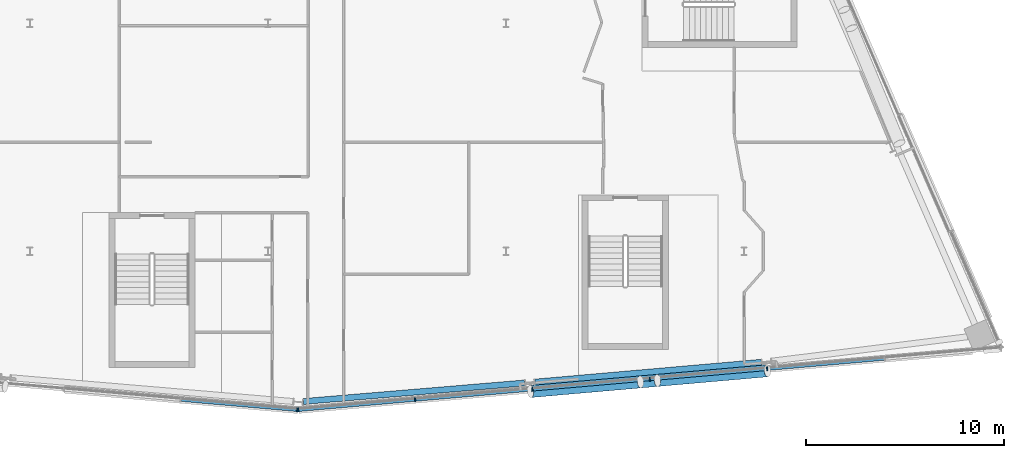
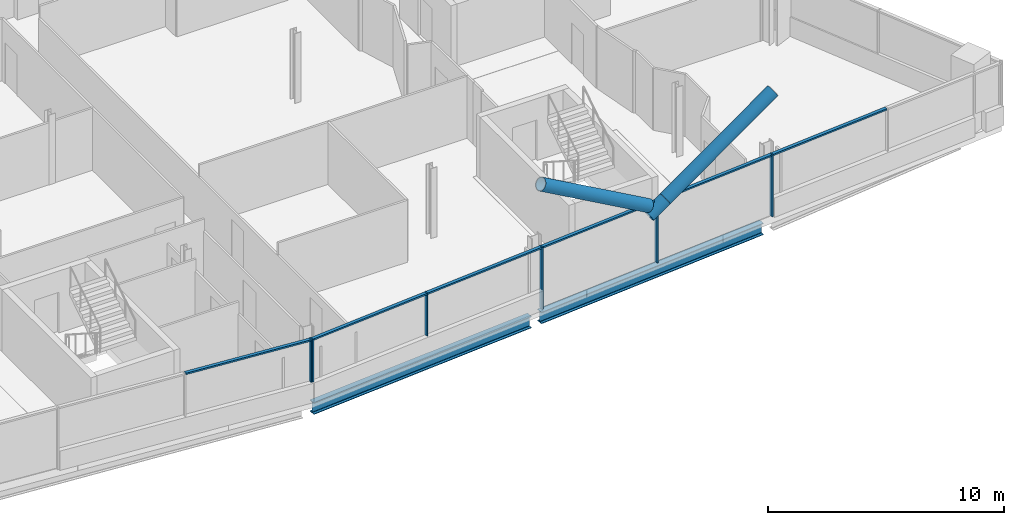
# One storey, part 8 of 28: 15 members, 2 beams, 2 elements without a shape of their own.
"""IFC4 building model written with IfcOpenShell, lengths in metres."""

from ifc_helpers import new_model, si_unit, direction, frame, origin, origin_2d, place, context, subcontext, project, spatial, rectangle, hollow_circle, i_section, extrude, material, material_profile, profile_set, type_object, element, aggregate, save


model = new_model("IFC4")

# Units and contexts
model_context = context("Model", 3, precision=1e-05, world=origin(), true_north=direction((0.0, 1.0)))
body_context = subcontext(model_context, "Body", "Model", "MODEL_VIEW")
ifc_project = project(units=[si_unit("LENGTHUNIT", "METRE"), si_unit("AREAUNIT", "SQUARE_METRE"), si_unit("VOLUMEUNIT", "CUBIC_METRE"), si_unit("PLANEANGLEUNIT", "RADIAN"), si_unit("MASSUNIT", "GRAM", prefix="KILO")], contexts=[model_context])

# Site, building, storey
site_placement = place(None, origin())
site = spatial("IfcSite", under=ifc_project, at=site_placement, CompositionType="ELEMENT")
building_placement = place(site_placement, origin())
building = spatial("IfcBuilding", under=site, at=building_placement, Name="Wharfspan Tower", CompositionType="ELEMENT")
storey_placement = place(building_placement, frame((0.0, 0.0, 253.899902)))
storey = spatial("IfcBuildingStorey", under=building, at=storey_placement, Name="L64", CompositionType="ELEMENT", Elevation=253.899902)

# Member
ifc_material_1 = material(Name="Steel S460NH", Category="steel")
ifc_material_profile_1 = material_profile(ifc_material_1, hollow_circle(Radius=0.304932, WallThickness=0.024902, at=origin_2d()))
ifc_profile_set_1 = profile_set([ifc_material_profile_1], Name="Steel S460NH")
member_type_1 = type_object("IfcMemberType", Name="Brace node tie CHS 610x25", PredefinedType="STRUT", material=ifc_profile_set_1)
member_1_placement = place(storey_placement, frame((66.787109, 4.911133, 2.645752), z_axis=(0.853807, 0.074696, 0.515203), x_axis=(-0.087155, 0.996198, 3e-06)))
element("IfcMember", 1, at=member_1_placement, inside=storey, type_object=member_type_1, Name="Brace node tie L64 S2", PredefinedType="STRUT", context=body_context, shape_type="SweptSolid", body=[
    extrude(hollow_circle(Radius=0.304932, WallThickness=0.024902, at=origin_2d()), origin(), (0.0, 0.0, 1.0), 0.987061),
])

# Beams
ifc_material_2 = material(Name="Steel S355J2", Category="steel")
ifc_material_profile_2 = material_profile(ifc_material_2, i_section(OverallWidth=0.300049, OverallDepth=0.600098, WebThickness=0.015381, FlangeThickness=0.030029, FilletRadius=0.0271, at=origin_2d()))
ifc_profile_set_2 = profile_set([ifc_material_profile_2], Name="Steel S355J2")
beam_type = type_object("IfcBeamType", Name="Edge beam HEB 600", PredefinedType="SPANDREL", material=ifc_profile_set_2)
beam_1_placement = place(storey_placement, frame((49.783691, 3.923828, -0.699951), z_axis=(0.996517, 0.083395, 0.0), x_axis=(-0.083395, 0.996517, 0.0)))
element("IfcBeam", 2, at=beam_1_placement, inside=storey, type_object=beam_type, Name="Edge beam S2 L64 PS1.3 to PS2.1", PredefinedType="SPANDREL", context=body_context, shape_type="SweptSolid", body=[
    extrude(i_section(OverallWidth=0.300049, OverallDepth=0.600098, WebThickness=0.015381, FlangeThickness=0.030029, FilletRadius=0.0271, at=origin_2d()), origin(), (0.0, 0.0, 1.0), 11.200684),
])
beam_2_placement = place(storey_placement, frame((61.459473, 4.901855, -0.699951), z_axis=(0.996195, 0.087157, 0.0), x_axis=(-0.087157, 0.996195, 0.0)))
element("IfcBeam", 3, at=beam_2_placement, inside=storey, type_object=beam_type, Name="Edge beam S2 L64 PS2.1 to PS2.2", PredefinedType="SPANDREL", context=body_context, shape_type="SweptSolid", body=[
    extrude(i_section(OverallWidth=0.300049, OverallDepth=0.600098, WebThickness=0.015381, FlangeThickness=0.030029, FilletRadius=0.0271, at=origin_2d()), origin(), (0.0, 0.0, 1.0), 11.462402),
])

# Curtain wall, member
ifc_material_3 = material(Name="Aluminium 6063-T6", Category="aluminium")
curtain_wall_type = type_object("IfcCurtainWallType", Name="CURTAIN WALL FACETED FRONT", PredefinedType="NOTDEFINED", material=ifc_material_3)
curtain_wall_1_placement = place(storey_placement, origin())
curtain_wall_1 = element("IfcCurtainWall", 4, at=curtain_wall_1_placement, inside=storey, type_object=curtain_wall_type, Name="Curtain wall S1", PredefinedType="NOTDEFINED")
ifc_material_profile_3 = material_profile(ifc_material_3, rectangle(XDim=0.199951, YDim=0.060059, at=origin_2d()))
ifc_profile_set_3 = profile_set([ifc_material_profile_3], Name="Aluminium 6063-T6")
member_type_2 = type_object("IfcMemberType", Name="MULLION FACETED FRONT 60x200", PredefinedType="MULLION", material=ifc_profile_set_3)
member_2_placement = place(storey_placement, frame((49.470215, 3.496826, 1.0), z_axis=(0.0, 0.0, 1.0), x_axis=(0.087156, 0.996197, 0.0)))
member_2 = element("IfcMember", 5, at=member_2_placement, type_object=member_type_2, Name="Curtain wall S1 mullion 6", PredefinedType="MULLION", context=body_context, shape_type="SweptSolid", body=[
    extrude(rectangle(XDim=0.199951, YDim=0.060059, at=origin_2d()), origin(), (0.0, 0.0, 1.0), 2.200195),
])

# Curtain wall, members
curtain_wall_2_placement = place(storey_placement, origin())
curtain_wall_2 = element("IfcCurtainWall", 6, at=curtain_wall_2_placement, inside=storey, type_object=curtain_wall_type, Name="Curtain wall S2", PredefinedType="NOTDEFINED")
member_3_placement = place(storey_placement, frame((49.529785, 3.496826, 1.0), z_axis=(0.0, 0.0, 1.0), x_axis=(-0.087156, 0.996197, 0.0)))
member_3 = element("IfcMember", 7, at=member_3_placement, type_object=member_type_2, Name="Curtain wall S2 mullion 1", PredefinedType="MULLION", context=body_context, shape_type="SweptSolid", body=[
    extrude(rectangle(XDim=0.199951, YDim=0.060059, at=origin_2d()), origin(), (0.0, 0.0, 1.0), 2.200195),
])
member_4_placement = place(storey_placement, frame((55.416748, 4.011719, 1.0), z_axis=(0.0, 0.0, 1.0), x_axis=(-0.087156, 0.996197, 0.0)))
member_4 = element("IfcMember", 8, at=member_4_placement, type_object=member_type_2, Name="Curtain wall S2 mullion 2", PredefinedType="MULLION", context=body_context, shape_type="SweptSolid", body=[
    extrude(rectangle(XDim=0.199951, YDim=0.060059, at=origin_2d()), origin(), (0.0, 0.0, 1.0), 2.200195),
])
member_5_placement = place(storey_placement, frame((61.333252, 4.529541, 0.0), z_axis=(0.0, 0.0, 1.0), x_axis=(-0.087156, 0.996197, 0.0)))
member_5 = element("IfcMember", 9, at=member_5_placement, type_object=member_type_2, Name="Curtain wall S2 mullion 3", PredefinedType="MULLION", context=body_context, shape_type="SweptSolid", body=[
    extrude(rectangle(XDim=0.199951, YDim=0.060059, at=origin_2d()), origin(), (0.0, 0.0, 1.0), 3.200195),
])
member_6_placement = place(storey_placement, frame((67.25, 5.047119, 0.0), z_axis=(0.0, 0.0, 1.0), x_axis=(-0.087156, 0.996197, 0.0)))
member_6 = element("IfcMember", 10, at=member_6_placement, type_object=member_type_2, Name="Curtain wall S2 mullion 4", PredefinedType="MULLION", context=body_context, shape_type="SweptSolid", body=[
    extrude(rectangle(XDim=0.199951, YDim=0.060059, at=origin_2d()), origin(), (0.0, 0.0, 1.0), 3.200195),
])
member_7_placement = place(storey_placement, frame((73.166748, 5.564697, 0.0), z_axis=(0.0, 0.0, 1.0), x_axis=(-0.087156, 0.996197, 0.0)))
member_7 = element("IfcMember", 11, at=member_7_placement, type_object=member_type_2, Name="Curtain wall S2 mullion 5", PredefinedType="MULLION", context=body_context, shape_type="SweptSolid", body=[
    extrude(rectangle(XDim=0.199951, YDim=0.060059, at=origin_2d()), origin(), (0.0, 0.0, 1.0), 3.200195),
])

# Members
ifc_material_profile_4 = material_profile(ifc_material_1, hollow_circle(Radius=0.304932, WallThickness=0.024902, at=origin_2d()))
ifc_profile_set_4 = profile_set([ifc_material_profile_4], Name="Steel S460NH")
member_type_3 = type_object("IfcMemberType", Name="Mega brace CHS 610x25", PredefinedType="BRACE", material=ifc_profile_set_4)
for number, where, z_axis, x_axis, name in (
    (12, (67.638428, 4.985596, 3.159424), (0.853829, 0.074698, 0.515166), (-0.087155, 0.996197, 3e-06), "Mega brace S2 L64 part 2"),
    (13, (66.778564, 4.9104, 3.159424), (-0.853829, -0.074698, 0.515166), (0.087155, -0.996197, 3e-06), "Mega brace S2 L64 part 4"),
):
    element("IfcMember", number, at=place(storey_placement, frame(where, z_axis=z_axis, x_axis=x_axis)), inside=storey, type_object=member_type_3, Name=name, PredefinedType="BRACE", context=body_context, shape_type="SweptSolid", body=[
        extrude(hollow_circle(Radius=0.304932, WallThickness=0.024902, at=origin_2d()), origin(), (0.0, 0.0, 1.0), 6.484375),
    ])

# Member
ifc_material_profile_5 = material_profile(ifc_material_3, rectangle(XDim=0.159912, YDim=0.080078, at=origin_2d()))
ifc_profile_set_5 = profile_set([ifc_material_profile_5], Name="Aluminium 6063-T6")
member_type_4 = type_object("IfcMemberType", Name="TRANSOM FACETED FRONT 80x160", PredefinedType="USERDEFINED", material=ifc_profile_set_5)
member_8_placement = place(storey_placement, frame((43.629883, 4.007812, 3.160156), z_axis=(0.996192, -0.087191, 0.0), x_axis=(0.087191, 0.996192, 0.0)))
member_8 = element("IfcMember", 14, at=member_8_placement, type_object=member_type_4, Name="Curtain wall S1 transom 5", ObjectType="TRANSOM", PredefinedType="USERDEFINED", context=body_context, shape_type="SweptSolid", body=[
    extrude(rectangle(XDim=0.159912, YDim=0.080078, at=origin_2d()), origin(), (0.0, 0.0, 1.0), 5.83252),
])

aggregate(curtain_wall_1, [member_2, member_8])

member_9_placement = place(storey_placement, frame((49.559814, 3.499268, 3.160156), z_axis=(0.996191, 0.087193, 0.0), x_axis=(-0.087193, 0.996191, 0.0)))
member_9 = element("IfcMember", 15, at=member_9_placement, type_object=member_type_4, Name="Curtain wall S2 transom 1", ObjectType="TRANSOM", PredefinedType="USERDEFINED", context=body_context, shape_type="SweptSolid", body=[
    extrude(rectangle(XDim=0.159912, YDim=0.080078, at=origin_2d()), origin(), (0.0, 0.0, 1.0), 5.849121),
])

member_10_placement = place(storey_placement, frame((55.446533, 4.014404, 3.160156), z_axis=(0.996194, 0.087162, 0.0), x_axis=(-0.087162, 0.996194, 0.0)))
member_10 = element("IfcMember", 16, at=member_10_placement, type_object=member_type_4, Name="Curtain wall S2 transom 2", ObjectType="TRANSOM", PredefinedType="USERDEFINED", context=body_context, shape_type="SweptSolid", body=[
    extrude(rectangle(XDim=0.159912, YDim=0.080078, at=origin_2d()), origin(), (0.0, 0.0, 1.0), 5.879395),
])

member_11_placement = place(storey_placement, frame((61.363281, 4.531982, 3.160156), z_axis=(0.996194, 0.087162, 0.0), x_axis=(-0.087162, 0.996194, 0.0)))
member_11 = element("IfcMember", 17, at=member_11_placement, type_object=member_type_4, Name="Curtain wall S2 transom 3", ObjectType="TRANSOM", PredefinedType="USERDEFINED", context=body_context, shape_type="SweptSolid", body=[
    extrude(rectangle(XDim=0.159912, YDim=0.080078, at=origin_2d()), origin(), (0.0, 0.0, 1.0), 5.879395),
])

member_12_placement = place(storey_placement, frame((67.279785, 5.049805, 3.160156), z_axis=(0.996198, 0.087121, 0.0), x_axis=(-0.087121, 0.996198, 0.0)))
member_12 = element("IfcMember", 18, at=member_12_placement, type_object=member_type_4, Name="Curtain wall S2 transom 4", ObjectType="TRANSOM", PredefinedType="USERDEFINED", context=body_context, shape_type="SweptSolid", body=[
    extrude(rectangle(XDim=0.159912, YDim=0.080078, at=origin_2d()), origin(), (0.0, 0.0, 1.0), 5.879395),
])

member_13_placement = place(storey_placement, frame((73.196533, 5.567383, 3.160156), z_axis=(0.996194, 0.087162, 0.0), x_axis=(-0.087162, 0.996194, 0.0)))
member_13 = element("IfcMember", 19, at=member_13_placement, type_object=member_type_4, Name="Curtain wall S2 transom 5", ObjectType="TRANSOM", PredefinedType="USERDEFINED", context=body_context, shape_type="SweptSolid", body=[
    extrude(rectangle(XDim=0.159912, YDim=0.080078, at=origin_2d()), origin(), (0.0, 0.0, 1.0), 5.879395),
])

aggregate(curtain_wall_2, [member_3, member_4, member_5, member_6, member_7, member_9, member_10, member_11, member_12, member_13])

save(model, "model.ifc")
